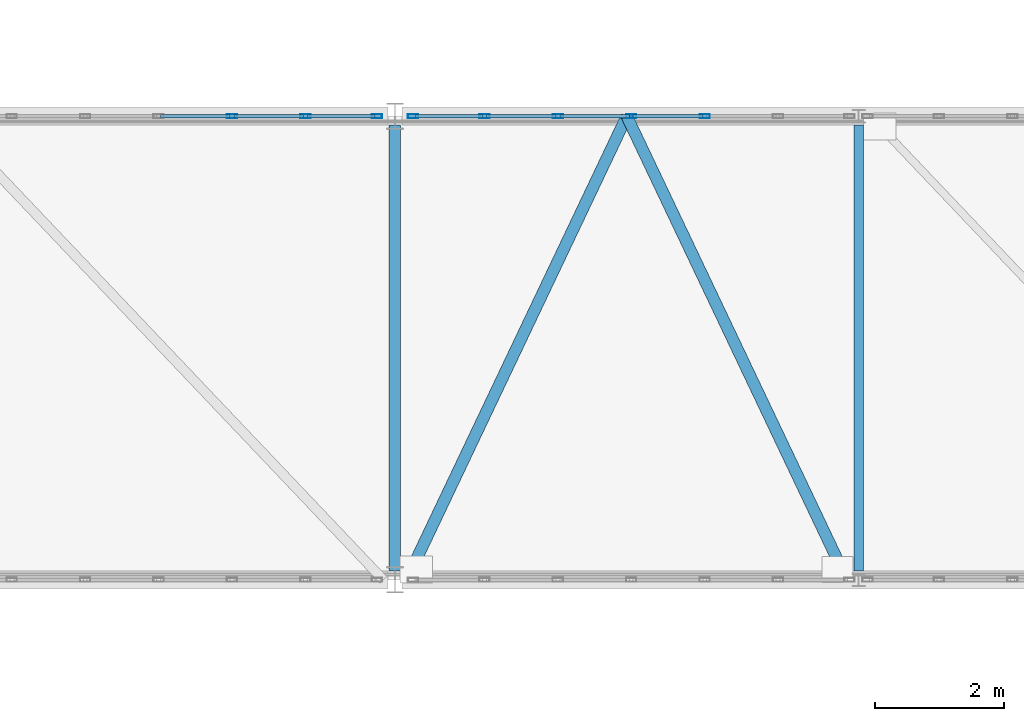
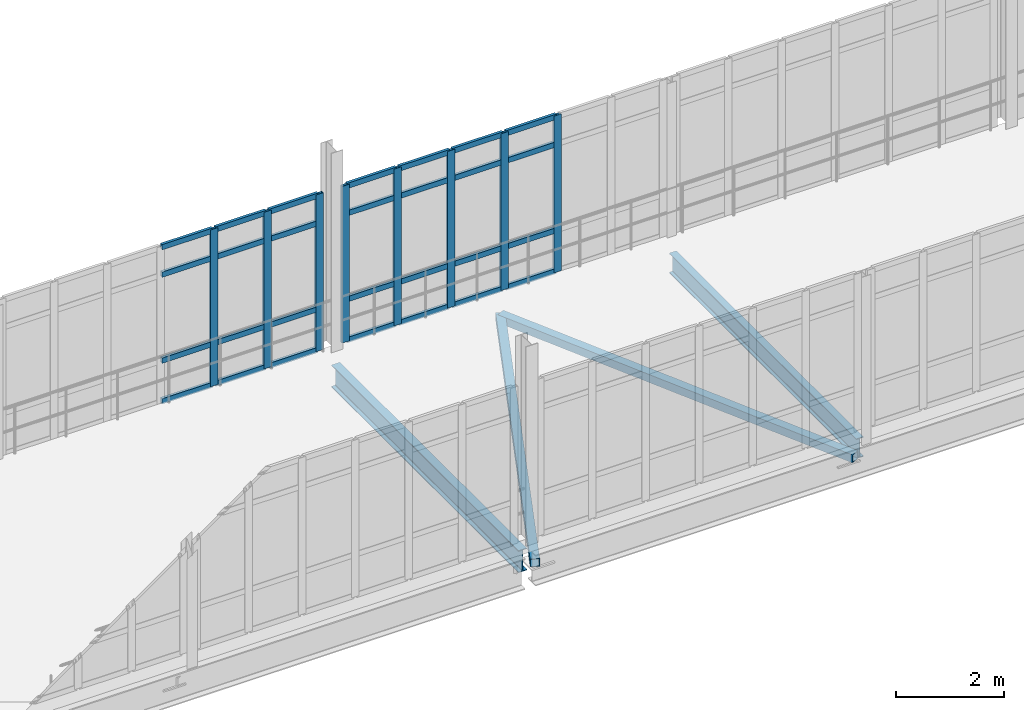
# One storey, part 26 of 116: 38 members, 2 beams, 2 elements without a shape of their own.
"""IFC4 building model written with IfcOpenShell, lengths in metres."""

import ifcopenshell
import ifcopenshell.guid

model = None  # the IFC model being written
_history = None  # IfcOwnerHistory: only IFC2X3 demands one
_inside = {}  # id of a spatial element -> (the spatial element, [elements in it])
_under = {}  # id of a project, library or spatial element -> (it, [spatial elements below it])
_declared = {}  # id of a project -> (the project, [libraries it declares])
_typed = {}  # id of a type object -> (the type object, [elements of that type])
_made_of = {}  # id of a material, layer set ... -> (it, [elements and type objects made of it])


def new_model(schema):
    """Start an empty IFC model of exactly this schema.

    Asked for "IFC4X3", IfcOpenShell would pick the latest addendum, in which some entities
    have other attributes; the version numbers below select the first issue.
    IFC2X3 requires an IfcOwnerHistory on every rooted entity: one is made here for all.
    """
    global model, _history
    if schema == "IFC4X3":
        model = ifcopenshell.file(schema_version=(4, 3, 0, 0))
    else:
        model = ifcopenshell.file(schema=schema)
    _inside.clear()
    _under.clear()
    _declared.clear()
    _typed.clear()
    _made_of.clear()
    _history = None
    if model.schema == "IFC2X3":
        org = make("IfcOrganization", Name="unknown")
        user = make(
            "IfcPersonAndOrganization",
            ThePerson=make("IfcPerson", FamilyName="unknown"),
            TheOrganization=org,
        )
        app = make(
            "IfcApplication",
            ApplicationDeveloper=org,
            Version="unknown",
            ApplicationFullName="unknown",
            ApplicationIdentifier="unknown",
        )
        _history = make(
            "IfcOwnerHistory",
            OwningUser=user,
            OwningApplication=app,
            ChangeAction="ADDED",
            CreationDate=0,
        )
    return model


def make(cls, **values):
    """One entity of the class cls with the attributes given. An attribute that is None is left unset."""
    return model.create_entity(
        cls, **{name: value for name, value in values.items() if value is not None}
    )


def rooted(cls, **values):
    """An entity with a GlobalId (a new one), such as an element, a storey or a relation."""
    return make(cls, GlobalId=ifcopenshell.guid.new(), OwnerHistory=_history, **values)


def si_unit(unit_type, name, prefix=None):
    """IfcSIUnit, for example si_unit("LENGTHUNIT", "METRE", prefix="MILLI")."""
    return make("IfcSIUnit", UnitType=unit_type, Prefix=prefix, Name=name)


def assignment(units):
    """IfcUnitAssignment: the units of a project."""
    return None if units is None else make("IfcUnitAssignment", Units=units)


def point(xyz):
    """IfcCartesianPoint."""
    return None if xyz is None else make("IfcCartesianPoint", Coordinates=xyz)


def direction(xyz):
    """IfcDirection."""
    return None if xyz is None else make("IfcDirection", DirectionRatios=xyz)


def frame(location, z_axis=None, x_axis=None):
    """IfcAxis2Placement3D, a coordinate frame: its origin and axes. An axis left out is left unset."""
    return make(
        "IfcAxis2Placement3D",
        Location=point(location),
        Axis=direction(z_axis),
        RefDirection=direction(x_axis),
    )


def frame_2d(location, x_axis=None):
    """IfcAxis2Placement2D, a coordinate frame in the plane: its origin and x axis."""
    return make(
        "IfcAxis2Placement2D", Location=point(location), RefDirection=direction(x_axis)
    )


def origin():
    """The frame at (0, 0, 0) with its axes left unset."""
    return frame((0.0, 0.0, 0.0))


def origin_2d():
    """The frame at (0, 0) in the plane with its x axis left unset."""
    return frame_2d((0.0, 0.0))


def place(relative_to, where):
    """IfcLocalPlacement: puts the frame where relative to a parent placement (None: the world)."""
    return make(
        "IfcLocalPlacement", PlacementRelTo=relative_to, RelativePlacement=where
    )


def context(
    kind, dimensions, precision=None, world=None, true_north=None, identifier=None
):
    """IfcGeometricRepresentationContext, for example the 3D "Model" context."""
    return make(
        "IfcGeometricRepresentationContext",
        ContextIdentifier=identifier,
        ContextType=kind,
        CoordinateSpaceDimension=dimensions,
        Precision=precision,
        WorldCoordinateSystem=world,
        TrueNorth=true_north,
    )


def subcontext(parent, identifier, kind, view, scale=None):
    """IfcGeometricRepresentationSubContext, for example "Body" below "Model"."""
    return make(
        "IfcGeometricRepresentationSubContext",
        ContextIdentifier=identifier,
        ContextType=kind,
        ParentContext=parent,
        TargetScale=scale,
        TargetView=view,
    )


def project(units=None, contexts=None):
    """IfcProject with its units and contexts."""
    return rooted(
        "IfcProject",
        Name="project",
        RepresentationContexts=contexts,
        UnitsInContext=assignment(units),
    )


def spatial(cls, under=None, at=None, **own):
    """A site, building, storey or space (cls), placed at a placement, below another one or the project."""
    s = rooted(cls, ObjectPlacement=at, **own)
    if under is not None:
        _under.setdefault(under.id(), (under, []))[1].append(s)
    return s


def profile(cls, at=None, kind="AREA", **sizes):
    """A parametric profile (cls). Its sizes go by their IFC names, for example OverallWidth=200.0."""
    return make(cls, ProfileType=kind, Position=at, **sizes)


def hollow_rectangle(**sizes):
    """IfcRectangleHollowProfileDef."""
    return profile("IfcRectangleHollowProfileDef", **sizes)


def i_section(**sizes):
    """IfcIShapeProfileDef."""
    return profile("IfcIShapeProfileDef", **sizes)


def extrude(swept, where, along, depth):
    """IfcExtrudedAreaSolid: the profile swept, set in the frame where, extruded along a direction by depth."""
    return make(
        "IfcExtrudedAreaSolid",
        SweptArea=swept,
        Position=where,
        ExtrudedDirection=direction(along),
        Depth=depth,
    )


def shape(context_of_items, identifier, shape_type, items):
    """IfcShapeRepresentation: the items that make up one representation, for example the "Body"."""
    return make(
        "IfcShapeRepresentation",
        ContextOfItems=context_of_items,
        RepresentationIdentifier=identifier,
        RepresentationType=shape_type,
        Items=items,
    )


def material(Name=None, Category=None):
    """IfcMaterial."""
    return make("IfcMaterial", Name=Name, Category=Category)


def material_profile(
    of_material, cross_section, Name=None, Category=None, Priority=None
):
    """IfcMaterialProfile: a cross section and its material."""
    return make(
        "IfcMaterialProfile",
        Name=Name,
        Material=of_material,
        Profile=cross_section,
        Priority=Priority,
        Category=Category,
    )


def profile_set(profiles, Name=None, composite=None):
    """IfcMaterialProfileSet."""
    return make(
        "IfcMaterialProfileSet",
        Name=Name,
        MaterialProfiles=profiles,
        CompositeProfile=composite,
    )


def made_of(thing, what):
    """Note that an element or type object is made of a material, layer set ...; save() writes the relation."""
    if what is not None:
        _made_of.setdefault(what.id(), (what, []))[1].append(thing)
    return thing


def type_object(cls, material=None, **own):
    """A type object (cls), such as IfcWallType, which elements share."""
    return made_of(rooted(cls, **own), material)


def element(
    cls,
    number,
    at=None,
    inside=None,
    cuts=None,
    type_object=None,
    material=None,
    context=None,
    identifier="Body",
    shape_type=None,
    held_by="IfcProductDefinitionShape",
    body=None,
    shapes=None,
    **own,
):
    """One element of the class cls, such as IfcWall. Its Tag is "e" and its number.

    at: its placement. inside: the storey or other place that contains it. cuts: it is an
    opening in that element (IfcRelVoidsElement). A single representation is given by context,
    identifier, shape_type and body (its items); several are given by shapes. held_by: the class
    of the entity that holds the representations. save() writes the other relations.
    """
    e = rooted(cls, Tag="e%d" % number, ObjectPlacement=at, **own)
    if body is not None:
        shapes = [shape(context, identifier, shape_type, body)]
    if shapes is not None:
        e.Representation = make(held_by, Representations=shapes)
    if inside is not None:
        _inside.setdefault(inside.id(), (inside, []))[1].append(e)
    if cuts is not None:
        rooted(
            "IfcRelVoidsElement", RelatingBuildingElement=cuts, RelatedOpeningElement=e
        )
    if type_object is not None:
        _typed.setdefault(type_object.id(), (type_object, []))[1].append(e)
    return made_of(e, material)


def aggregate(whole, parts):
    """IfcRelAggregates: a whole, such as a stair, and the parts it consists of."""
    return rooted("IfcRelAggregates", RelatingObject=whole, RelatedObjects=parts)


def save(model, path):
    """Write the relations noted so far, then the file.

    IfcRelAggregates (storeys below a building ...), IfcRelContainedInSpatialStructure (elements
    in a storey), IfcRelDefinesByType, IfcRelAssociatesMaterial and IfcRelDeclares: one each for
    every whole, place, type object, material and project.
    """
    for whole, parts in _under.values():
        aggregate(whole, parts)
    for where, things in _inside.values():
        rooted(
            "IfcRelContainedInSpatialStructure",
            RelatedElements=things,
            RelatingStructure=where,
        )
    for kind, things in _typed.values():
        rooted("IfcRelDefinesByType", RelatedObjects=things, RelatingType=kind)
    for what, things in _made_of.values():
        rooted("IfcRelAssociatesMaterial", RelatedObjects=things, RelatingMaterial=what)
    for by, libraries in _declared.values():
        rooted("IfcRelDeclares", RelatingContext=by, RelatedDefinitions=libraries)
    model.write(path)


model = new_model("IFC4")

# Units and contexts
model_context = context("Model", 3, precision=1e-05, world=origin(), true_north=direction((0.0, 1.0)))
body_context = subcontext(model_context, "Body", "Model", "MODEL_VIEW")
ifc_project = project(units=[si_unit("LENGTHUNIT", "METRE"), si_unit("AREAUNIT", "SQUARE_METRE"), si_unit("VOLUMEUNIT", "CUBIC_METRE"), si_unit("PLANEANGLEUNIT", "RADIAN"), si_unit("MASSUNIT", "GRAM", prefix="KILO")], contexts=[model_context])

# Site, building, storey
site_placement = place(None, origin())
site = spatial("IfcSite", under=ifc_project, at=site_placement, CompositionType="ELEMENT")
building_placement = place(site_placement, origin())
building = spatial("IfcBuilding", under=site, at=building_placement, Name="Kalluvel Institute of Natural Sciences", CompositionType="ELEMENT")
storey_placement = place(building_placement, frame((0.0, 0.0, 14.39990234375)))
storey = spatial("IfcBuildingStorey", under=building, at=storey_placement, Name="L03", CompositionType="ELEMENT", Elevation=14.39990234375)

# Beams
ifc_material_1 = material(Name="Steel E350 Grade 350", Category="steel")
ifc_material_profile_1 = material_profile(ifc_material_1, i_section(OverallWidth=0.14990234375, OverallDepth=0.449951171875, WebThickness=0.009521484375, FlangeThickness=0.017333984375, FilletRadius=0.014892578125, at=origin_2d()), Name="ISMB 450")
ifc_profile_set_1 = profile_set([ifc_material_profile_1], Name="Steel E350 Grade 350")
beam_type_1 = type_object("IfcBeamType", Name="BM-ISMB450", PredefinedType="BEAM", material=ifc_profile_set_1)
beam_1_placement = place(storey_placement, frame((71.60009765625, 28.5400390625, -0.544921875), z_axis=(0.0, 1.0, 0.0), x_axis=(-1.0, 0.0, 0.0)))
element("IfcBeam", 1, at=beam_1_placement, inside=storey, type_object=beam_type_1, Name="L03 link bridge cross girder 67", PredefinedType="BEAM", context=body_context, shape_type="SweptSolid", body=[
    extrude(i_section(OverallWidth=0.14990234375, OverallDepth=0.449951171875, WebThickness=0.009521484375, FlangeThickness=0.017333984375, FilletRadius=0.014892578125, at=origin_2d()), origin(), (0.0, 0.0, 1.0), 6.919921875),
])
ifc_material_profile_2 = material_profile(ifc_material_1, i_section(OverallWidth=0.179931640625, OverallDepth=0.5, WebThickness=0.01025390625, FlangeThickness=0.01708984375, FilletRadius=0.01708984375, at=origin_2d()), Name="ISMB 500")
ifc_profile_set_2 = profile_set([ifc_material_profile_2], Name="Steel E350 Grade 350")
beam_type_2 = type_object("IfcBeamType", Name="BM-ISMB500", PredefinedType="BEAM", material=ifc_profile_set_2)
beam_2_placement = place(storey_placement, frame((64.39990234375, 28.5400390625, -0.56982421875), z_axis=(0.0, 1.0, 0.0), x_axis=(-1.0, 0.0, 0.0)))
element("IfcBeam", 2, at=beam_2_placement, inside=storey, type_object=beam_type_2, Name="L03 link bridge cross girder 66", PredefinedType="BEAM", context=body_context, shape_type="SweptSolid", body=[
    extrude(i_section(OverallWidth=0.179931640625, OverallDepth=0.5, WebThickness=0.01025390625, FlangeThickness=0.01708984375, FilletRadius=0.01708984375, at=origin_2d()), origin(), (0.0, 0.0, 1.0), 6.919921875),
])

# Curtain wall, members
ifc_material_2 = material(Name="Aluminium AW-6063 T6", Category="aluminium")
curtain_wall_type = type_object("IfcCurtainWallType", Name="CW-BRG-45", PredefinedType="USERDEFINED", material=ifc_material_2)
curtain_wall_1_placement = place(storey_placement, origin())
curtain_wall_1 = element("IfcCurtainWall", 3, at=curtain_wall_1_placement, inside=storey, type_object=curtain_wall_type, Name="L03 Gothic lancet curtain wall CWA-L03-X573-Y356", ObjectType="UNITISED LANCET FACADE", PredefinedType="USERDEFINED")
ifc_material_profile_3 = material_profile(ifc_material_2, hollow_rectangle(XDim=0.06005859375, YDim=0.159912109375, WallThickness=0.00390625, at=origin_2d()), Name="CWM 60x160")
ifc_profile_set_3 = profile_set([ifc_material_profile_3], Name="Aluminium AW-6063 T6")
member_type_1 = type_object("IfcMemberType", Name="CWM-60x160", PredefinedType="MULLION", material=ifc_profile_set_3)
member_1_placement = place(storey_placement, frame((61.8701171875, 35.60009765625, 0.0), z_axis=(0.0, 0.0, 1.0), x_axis=(0.0, 1.0, 0.0)))
member_1 = element("IfcMember", 4, at=member_1_placement, type_object=member_type_1, Name="CW-07 mullion 5", PredefinedType="MULLION", context=body_context, shape_type="SweptSolid", body=[
    extrude(hollow_rectangle(XDim=0.06005859375, YDim=0.159912109375, WallThickness=0.00390625, at=origin_2d()), origin(), (0.0, 0.0, 1.0), 3.5400390625),
])
member_2_placement = place(storey_placement, frame((63.010009765625, 35.60009765625, 0.0), z_axis=(0.0, 0.0, 1.0), x_axis=(0.0, 1.0, 0.0)))
member_2 = element("IfcMember", 5, at=member_2_placement, type_object=member_type_1, Name="CW-07 mullion 6", PredefinedType="MULLION", context=body_context, shape_type="SweptSolid", body=[
    extrude(hollow_rectangle(XDim=0.06005859375, YDim=0.159912109375, WallThickness=0.00390625, at=origin_2d()), origin(), (0.0, 0.0, 1.0), 3.5400390625),
])
member_3_placement = place(storey_placement, frame((64.1201171875, 35.60009765625, 0.0), z_axis=(0.0, 0.0, 1.0), x_axis=(0.0, 1.0, 0.0)))
member_3 = element("IfcMember", 6, at=member_3_placement, type_object=member_type_1, Name="CW-07 mullion 7", PredefinedType="MULLION", context=body_context, shape_type="SweptSolid", body=[
    extrude(hollow_rectangle(XDim=0.06005859375, YDim=0.159912109375, WallThickness=0.00390625, at=origin_2d()), origin(), (0.0, 0.0, 1.0), 3.5400390625),
])

curtain_wall_2_placement = place(storey_placement, origin())
curtain_wall_2 = element("IfcCurtainWall", 7, at=curtain_wall_2_placement, inside=storey, type_object=curtain_wall_type, Name="L03 Gothic lancet curtain wall CWA-L03-X646-Y356", ObjectType="UNITISED LANCET FACADE", PredefinedType="USERDEFINED")
member_4_placement = place(storey_placement, frame((64.679931640625, 35.60009765625, 0.0), z_axis=(0.0, 0.0, 1.0), x_axis=(0.0, 1.0, 0.0)))
member_4 = element("IfcMember", 8, at=member_4_placement, type_object=member_type_1, Name="CW-07 mullion 1", PredefinedType="MULLION", context=body_context, shape_type="SweptSolid", body=[
    extrude(hollow_rectangle(XDim=0.06005859375, YDim=0.159912109375, WallThickness=0.00390625, at=origin_2d()), origin(), (0.0, 0.0, 1.0), 3.5400390625),
])
member_5_placement = place(storey_placement, frame((65.7900390625, 35.60009765625, 0.0), z_axis=(0.0, 0.0, 1.0), x_axis=(0.0, 1.0, 0.0)))
member_5 = element("IfcMember", 9, at=member_5_placement, type_object=member_type_1, Name="CW-07 mullion 2", PredefinedType="MULLION", context=body_context, shape_type="SweptSolid", body=[
    extrude(hollow_rectangle(XDim=0.06005859375, YDim=0.159912109375, WallThickness=0.00390625, at=origin_2d()), origin(), (0.0, 0.0, 1.0), 3.5400390625),
])
member_6_placement = place(storey_placement, frame((66.929931640625, 35.60009765625, 0.0), z_axis=(0.0, 0.0, 1.0), x_axis=(0.0, 1.0, 0.0)))
member_6 = element("IfcMember", 10, at=member_6_placement, type_object=member_type_1, Name="CW-07 mullion 3", PredefinedType="MULLION", context=body_context, shape_type="SweptSolid", body=[
    extrude(hollow_rectangle(XDim=0.06005859375, YDim=0.159912109375, WallThickness=0.00390625, at=origin_2d()), origin(), (0.0, 0.0, 1.0), 3.5400390625),
])
member_7_placement = place(storey_placement, frame((68.070068359375, 35.60009765625, 0.0), z_axis=(0.0, 0.0, 1.0), x_axis=(0.0, 1.0, 0.0)))
member_7 = element("IfcMember", 11, at=member_7_placement, type_object=member_type_1, Name="CW-07 mullion 4", PredefinedType="MULLION", context=body_context, shape_type="SweptSolid", body=[
    extrude(hollow_rectangle(XDim=0.06005859375, YDim=0.159912109375, WallThickness=0.00390625, at=origin_2d()), origin(), (0.0, 0.0, 1.0), 3.5400390625),
])
member_8_placement = place(storey_placement, frame((69.2099609375, 35.60009765625, 0.0), z_axis=(0.0, 0.0, 1.0), x_axis=(0.0, 1.0, 0.0)))
member_8 = element("IfcMember", 12, at=member_8_placement, type_object=member_type_1, Name="CW-07 mullion 5", PredefinedType="MULLION", context=body_context, shape_type="SweptSolid", body=[
    extrude(hollow_rectangle(XDim=0.06005859375, YDim=0.159912109375, WallThickness=0.00390625, at=origin_2d()), origin(), (0.0, 0.0, 1.0), 3.5400390625),
])

# Member
ifc_material_profile_4 = material_profile(ifc_material_2, hollow_rectangle(XDim=0.06005859375, YDim=0.1201171875, WallThickness=0.00390625, at=origin_2d()), Name="CWT 60x120")
ifc_profile_set_4 = profile_set([ifc_material_profile_4], Name="Aluminium AW-6063 T6")
member_type_2 = type_object("IfcMemberType", Name="CWT-60x120", PredefinedType="USERDEFINED", material=ifc_profile_set_4)
member_9_placement = place(storey_placement, frame((60.760009765625, 35.60009765625, 0.030029296875), z_axis=(1.0, 0.0, 0.0), x_axis=(0.0, 1.0, 0.0)))
member_9 = element("IfcMember", 13, at=member_9_placement, type_object=member_type_2, Name="CW-07 transom 4.1", ObjectType="TRANSOM", PredefinedType="USERDEFINED", context=body_context, shape_type="SweptSolid", body=[
    extrude(hollow_rectangle(XDim=0.06005859375, YDim=0.1201171875, WallThickness=0.00390625, at=origin_2d()), origin(), (0.0, 0.0, 1.0), 1.080078125),
])

member_10_placement = place(storey_placement, frame((60.760009765625, 35.60009765625, 0.9501953125), z_axis=(1.0, 0.0, 0.0), x_axis=(0.0, 1.0, 0.0)))
member_10 = element("IfcMember", 14, at=member_10_placement, type_object=member_type_2, Name="CW-07 transom 4.2", ObjectType="TRANSOM", PredefinedType="USERDEFINED", context=body_context, shape_type="SweptSolid", body=[
    extrude(hollow_rectangle(XDim=0.06005859375, YDim=0.1201171875, WallThickness=0.00390625, at=origin_2d()), origin(), (0.0, 0.0, 1.0), 1.080078125),
])

member_11_placement = place(storey_placement, frame((60.760009765625, 35.60009765625, 2.89013671875), z_axis=(1.0, 0.0, 0.0), x_axis=(0.0, 1.0, 0.0)))
member_11 = element("IfcMember", 15, at=member_11_placement, type_object=member_type_2, Name="CW-07 transom 4.3", ObjectType="TRANSOM", PredefinedType="USERDEFINED", context=body_context, shape_type="SweptSolid", body=[
    extrude(hollow_rectangle(XDim=0.06005859375, YDim=0.1201171875, WallThickness=0.00390625, at=origin_2d()), origin(), (0.0, 0.0, 1.0), 1.080078125),
])

member_12_placement = place(storey_placement, frame((60.760009765625, 35.60009765625, 3.510009765625), z_axis=(1.0, 0.0, 0.0), x_axis=(0.0, 1.0, 0.0)))
member_12 = element("IfcMember", 16, at=member_12_placement, type_object=member_type_2, Name="CW-07 transom 4.4", ObjectType="TRANSOM", PredefinedType="USERDEFINED", context=body_context, shape_type="SweptSolid", body=[
    extrude(hollow_rectangle(XDim=0.06005859375, YDim=0.1201171875, WallThickness=0.00390625, at=origin_2d()), origin(), (0.0, 0.0, 1.0), 1.080078125),
])

member_13_placement = place(storey_placement, frame((61.89990234375, 35.60009765625, 0.030029296875), z_axis=(1.0, 0.0, 0.0), x_axis=(0.0, 1.0, 0.0)))
member_13 = element("IfcMember", 17, at=member_13_placement, type_object=member_type_2, Name="CW-07 transom 5.1", ObjectType="TRANSOM", PredefinedType="USERDEFINED", context=body_context, shape_type="SweptSolid", body=[
    extrude(hollow_rectangle(XDim=0.06005859375, YDim=0.1201171875, WallThickness=0.00390625, at=origin_2d()), origin(), (0.0, 0.0, 1.0), 1.080078125),
])

member_14_placement = place(storey_placement, frame((61.89990234375, 35.60009765625, 0.9501953125), z_axis=(1.0, 0.0, 0.0), x_axis=(0.0, 1.0, 0.0)))
member_14 = element("IfcMember", 18, at=member_14_placement, type_object=member_type_2, Name="CW-07 transom 5.2", ObjectType="TRANSOM", PredefinedType="USERDEFINED", context=body_context, shape_type="SweptSolid", body=[
    extrude(hollow_rectangle(XDim=0.06005859375, YDim=0.1201171875, WallThickness=0.00390625, at=origin_2d()), origin(), (0.0, 0.0, 1.0), 1.080078125),
])

member_15_placement = place(storey_placement, frame((61.89990234375, 35.60009765625, 2.89013671875), z_axis=(1.0, 0.0, 0.0), x_axis=(0.0, 1.0, 0.0)))
member_15 = element("IfcMember", 19, at=member_15_placement, type_object=member_type_2, Name="CW-07 transom 5.3", ObjectType="TRANSOM", PredefinedType="USERDEFINED", context=body_context, shape_type="SweptSolid", body=[
    extrude(hollow_rectangle(XDim=0.06005859375, YDim=0.1201171875, WallThickness=0.00390625, at=origin_2d()), origin(), (0.0, 0.0, 1.0), 1.080078125),
])

member_16_placement = place(storey_placement, frame((61.89990234375, 35.60009765625, 3.510009765625), z_axis=(1.0, 0.0, 0.0), x_axis=(0.0, 1.0, 0.0)))
member_16 = element("IfcMember", 20, at=member_16_placement, type_object=member_type_2, Name="CW-07 transom 5.4", ObjectType="TRANSOM", PredefinedType="USERDEFINED", context=body_context, shape_type="SweptSolid", body=[
    extrude(hollow_rectangle(XDim=0.06005859375, YDim=0.1201171875, WallThickness=0.00390625, at=origin_2d()), origin(), (0.0, 0.0, 1.0), 1.080078125),
])

member_17_placement = place(storey_placement, frame((63.0400390625, 35.60009765625, 0.030029296875), z_axis=(1.0, 0.0, 0.0), x_axis=(0.0, 1.0, 0.0)))
member_17 = element("IfcMember", 21, at=member_17_placement, type_object=member_type_2, Name="CW-07 transom 6.1", ObjectType="TRANSOM", PredefinedType="USERDEFINED", context=body_context, shape_type="SweptSolid", body=[
    extrude(hollow_rectangle(XDim=0.06005859375, YDim=0.1201171875, WallThickness=0.00390625, at=origin_2d()), origin(), (0.0, 0.0, 1.0), 1.050048828125),
])

member_18_placement = place(storey_placement, frame((63.0400390625, 35.60009765625, 0.9501953125), z_axis=(1.0, 0.0, 0.0), x_axis=(0.0, 1.0, 0.0)))
member_18 = element("IfcMember", 22, at=member_18_placement, type_object=member_type_2, Name="CW-07 transom 6.2", ObjectType="TRANSOM", PredefinedType="USERDEFINED", context=body_context, shape_type="SweptSolid", body=[
    extrude(hollow_rectangle(XDim=0.06005859375, YDim=0.1201171875, WallThickness=0.00390625, at=origin_2d()), origin(), (0.0, 0.0, 1.0), 1.050048828125),
])

member_19_placement = place(storey_placement, frame((63.0400390625, 35.60009765625, 2.89013671875), z_axis=(1.0, 0.0, 0.0), x_axis=(0.0, 1.0, 0.0)))
member_19 = element("IfcMember", 23, at=member_19_placement, type_object=member_type_2, Name="CW-07 transom 6.3", ObjectType="TRANSOM", PredefinedType="USERDEFINED", context=body_context, shape_type="SweptSolid", body=[
    extrude(hollow_rectangle(XDim=0.06005859375, YDim=0.1201171875, WallThickness=0.00390625, at=origin_2d()), origin(), (0.0, 0.0, 1.0), 1.050048828125),
])

member_20_placement = place(storey_placement, frame((63.0400390625, 35.60009765625, 3.510009765625), z_axis=(1.0, 0.0, 0.0), x_axis=(0.0, 1.0, 0.0)))
member_20 = element("IfcMember", 24, at=member_20_placement, type_object=member_type_2, Name="CW-07 transom 6.4", ObjectType="TRANSOM", PredefinedType="USERDEFINED", context=body_context, shape_type="SweptSolid", body=[
    extrude(hollow_rectangle(XDim=0.06005859375, YDim=0.1201171875, WallThickness=0.00390625, at=origin_2d()), origin(), (0.0, 0.0, 1.0), 1.050048828125),
])

aggregate(curtain_wall_1, [member_1, member_2, member_3, member_9, member_10, member_11, member_12, member_13, member_14, member_15, member_16, member_17, member_18, member_19, member_20])

member_21_placement = place(storey_placement, frame((64.7099609375, 35.60009765625, 0.030029296875), z_axis=(1.0, 0.0, 0.0), x_axis=(0.0, 1.0, 0.0)))
member_21 = element("IfcMember", 25, at=member_21_placement, type_object=member_type_2, Name="CW-07 transom 1.1", ObjectType="TRANSOM", PredefinedType="USERDEFINED", context=body_context, shape_type="SweptSolid", body=[
    extrude(hollow_rectangle(XDim=0.06005859375, YDim=0.1201171875, WallThickness=0.00390625, at=origin_2d()), origin(), (0.0, 0.0, 1.0), 1.050048828125),
])

member_22_placement = place(storey_placement, frame((64.7099609375, 35.60009765625, 0.9501953125), z_axis=(1.0, 0.0, 0.0), x_axis=(0.0, 1.0, 0.0)))
member_22 = element("IfcMember", 26, at=member_22_placement, type_object=member_type_2, Name="CW-07 transom 1.2", ObjectType="TRANSOM", PredefinedType="USERDEFINED", context=body_context, shape_type="SweptSolid", body=[
    extrude(hollow_rectangle(XDim=0.06005859375, YDim=0.1201171875, WallThickness=0.00390625, at=origin_2d()), origin(), (0.0, 0.0, 1.0), 1.050048828125),
])

member_23_placement = place(storey_placement, frame((64.7099609375, 35.60009765625, 2.89013671875), z_axis=(1.0, 0.0, 0.0), x_axis=(0.0, 1.0, 0.0)))
member_23 = element("IfcMember", 27, at=member_23_placement, type_object=member_type_2, Name="CW-07 transom 1.3", ObjectType="TRANSOM", PredefinedType="USERDEFINED", context=body_context, shape_type="SweptSolid", body=[
    extrude(hollow_rectangle(XDim=0.06005859375, YDim=0.1201171875, WallThickness=0.00390625, at=origin_2d()), origin(), (0.0, 0.0, 1.0), 1.050048828125),
])

member_24_placement = place(storey_placement, frame((64.7099609375, 35.60009765625, 3.510009765625), z_axis=(1.0, 0.0, 0.0), x_axis=(0.0, 1.0, 0.0)))
member_24 = element("IfcMember", 28, at=member_24_placement, type_object=member_type_2, Name="CW-07 transom 1.4", ObjectType="TRANSOM", PredefinedType="USERDEFINED", context=body_context, shape_type="SweptSolid", body=[
    extrude(hollow_rectangle(XDim=0.06005859375, YDim=0.1201171875, WallThickness=0.00390625, at=origin_2d()), origin(), (0.0, 0.0, 1.0), 1.050048828125),
])

member_25_placement = place(storey_placement, frame((65.820068359375, 35.60009765625, 0.030029296875), z_axis=(1.0, 0.0, 0.0), x_axis=(0.0, 1.0, 0.0)))
member_25 = element("IfcMember", 29, at=member_25_placement, type_object=member_type_2, Name="CW-07 transom 2.1", ObjectType="TRANSOM", PredefinedType="USERDEFINED", context=body_context, shape_type="SweptSolid", body=[
    extrude(hollow_rectangle(XDim=0.06005859375, YDim=0.1201171875, WallThickness=0.00390625, at=origin_2d()), origin(), (0.0, 0.0, 1.0), 1.079833984375),
])

member_26_placement = place(storey_placement, frame((65.820068359375, 35.60009765625, 0.9501953125), z_axis=(1.0, 0.0, 0.0), x_axis=(0.0, 1.0, 0.0)))
member_26 = element("IfcMember", 30, at=member_26_placement, type_object=member_type_2, Name="CW-07 transom 2.2", ObjectType="TRANSOM", PredefinedType="USERDEFINED", context=body_context, shape_type="SweptSolid", body=[
    extrude(hollow_rectangle(XDim=0.06005859375, YDim=0.1201171875, WallThickness=0.00390625, at=origin_2d()), origin(), (0.0, 0.0, 1.0), 1.079833984375),
])

member_27_placement = place(storey_placement, frame((65.820068359375, 35.60009765625, 2.89013671875), z_axis=(1.0, 0.0, 0.0), x_axis=(0.0, 1.0, 0.0)))
member_27 = element("IfcMember", 31, at=member_27_placement, type_object=member_type_2, Name="CW-07 transom 2.3", ObjectType="TRANSOM", PredefinedType="USERDEFINED", context=body_context, shape_type="SweptSolid", body=[
    extrude(hollow_rectangle(XDim=0.06005859375, YDim=0.1201171875, WallThickness=0.00390625, at=origin_2d()), origin(), (0.0, 0.0, 1.0), 1.079833984375),
])

member_28_placement = place(storey_placement, frame((65.820068359375, 35.60009765625, 3.510009765625), z_axis=(1.0, 0.0, 0.0), x_axis=(0.0, 1.0, 0.0)))
member_28 = element("IfcMember", 32, at=member_28_placement, type_object=member_type_2, Name="CW-07 transom 2.4", ObjectType="TRANSOM", PredefinedType="USERDEFINED", context=body_context, shape_type="SweptSolid", body=[
    extrude(hollow_rectangle(XDim=0.06005859375, YDim=0.1201171875, WallThickness=0.00390625, at=origin_2d()), origin(), (0.0, 0.0, 1.0), 1.079833984375),
])

member_29_placement = place(storey_placement, frame((66.9599609375, 35.60009765625, 0.030029296875), z_axis=(1.0, 0.0, 0.0), x_axis=(0.0, 1.0, 0.0)))
member_29 = element("IfcMember", 33, at=member_29_placement, type_object=member_type_2, Name="CW-07 transom 3.1", ObjectType="TRANSOM", PredefinedType="USERDEFINED", context=body_context, shape_type="SweptSolid", body=[
    extrude(hollow_rectangle(XDim=0.06005859375, YDim=0.1201171875, WallThickness=0.00390625, at=origin_2d()), origin(), (0.0, 0.0, 1.0), 1.080078125),
])

member_30_placement = place(storey_placement, frame((66.9599609375, 35.60009765625, 0.9501953125), z_axis=(1.0, 0.0, 0.0), x_axis=(0.0, 1.0, 0.0)))
member_30 = element("IfcMember", 34, at=member_30_placement, type_object=member_type_2, Name="CW-07 transom 3.2", ObjectType="TRANSOM", PredefinedType="USERDEFINED", context=body_context, shape_type="SweptSolid", body=[
    extrude(hollow_rectangle(XDim=0.06005859375, YDim=0.1201171875, WallThickness=0.00390625, at=origin_2d()), origin(), (0.0, 0.0, 1.0), 1.080078125),
])

member_31_placement = place(storey_placement, frame((66.9599609375, 35.60009765625, 2.89013671875), z_axis=(1.0, 0.0, 0.0), x_axis=(0.0, 1.0, 0.0)))
member_31 = element("IfcMember", 35, at=member_31_placement, type_object=member_type_2, Name="CW-07 transom 3.3", ObjectType="TRANSOM", PredefinedType="USERDEFINED", context=body_context, shape_type="SweptSolid", body=[
    extrude(hollow_rectangle(XDim=0.06005859375, YDim=0.1201171875, WallThickness=0.00390625, at=origin_2d()), origin(), (0.0, 0.0, 1.0), 1.080078125),
])

member_32_placement = place(storey_placement, frame((66.9599609375, 35.60009765625, 3.510009765625), z_axis=(1.0, 0.0, 0.0), x_axis=(0.0, 1.0, 0.0)))
member_32 = element("IfcMember", 36, at=member_32_placement, type_object=member_type_2, Name="CW-07 transom 3.4", ObjectType="TRANSOM", PredefinedType="USERDEFINED", context=body_context, shape_type="SweptSolid", body=[
    extrude(hollow_rectangle(XDim=0.06005859375, YDim=0.1201171875, WallThickness=0.00390625, at=origin_2d()), origin(), (0.0, 0.0, 1.0), 1.080078125),
])

member_33_placement = place(storey_placement, frame((68.10009765625, 35.60009765625, 0.030029296875), z_axis=(1.0, 0.0, 0.0), x_axis=(0.0, 1.0, 0.0)))
member_33 = element("IfcMember", 37, at=member_33_placement, type_object=member_type_2, Name="CW-07 transom 4.1", ObjectType="TRANSOM", PredefinedType="USERDEFINED", context=body_context, shape_type="SweptSolid", body=[
    extrude(hollow_rectangle(XDim=0.06005859375, YDim=0.1201171875, WallThickness=0.00390625, at=origin_2d()), origin(), (0.0, 0.0, 1.0), 1.079833984375),
])

member_34_placement = place(storey_placement, frame((68.10009765625, 35.60009765625, 0.9501953125), z_axis=(1.0, 0.0, 0.0), x_axis=(0.0, 1.0, 0.0)))
member_34 = element("IfcMember", 38, at=member_34_placement, type_object=member_type_2, Name="CW-07 transom 4.2", ObjectType="TRANSOM", PredefinedType="USERDEFINED", context=body_context, shape_type="SweptSolid", body=[
    extrude(hollow_rectangle(XDim=0.06005859375, YDim=0.1201171875, WallThickness=0.00390625, at=origin_2d()), origin(), (0.0, 0.0, 1.0), 1.079833984375),
])

member_35_placement = place(storey_placement, frame((68.10009765625, 35.60009765625, 2.89013671875), z_axis=(1.0, 0.0, 0.0), x_axis=(0.0, 1.0, 0.0)))
member_35 = element("IfcMember", 39, at=member_35_placement, type_object=member_type_2, Name="CW-07 transom 4.3", ObjectType="TRANSOM", PredefinedType="USERDEFINED", context=body_context, shape_type="SweptSolid", body=[
    extrude(hollow_rectangle(XDim=0.06005859375, YDim=0.1201171875, WallThickness=0.00390625, at=origin_2d()), origin(), (0.0, 0.0, 1.0), 1.079833984375),
])

member_36_placement = place(storey_placement, frame((68.10009765625, 35.60009765625, 3.510009765625), z_axis=(1.0, 0.0, 0.0), x_axis=(0.0, 1.0, 0.0)))
member_36 = element("IfcMember", 40, at=member_36_placement, type_object=member_type_2, Name="CW-07 transom 4.4", ObjectType="TRANSOM", PredefinedType="USERDEFINED", context=body_context, shape_type="SweptSolid", body=[
    extrude(hollow_rectangle(XDim=0.06005859375, YDim=0.1201171875, WallThickness=0.00390625, at=origin_2d()), origin(), (0.0, 0.0, 1.0), 1.079833984375),
])

aggregate(curtain_wall_2, [member_4, member_5, member_6, member_7, member_8, member_21, member_22, member_23, member_24, member_25, member_26, member_27, member_28, member_29, member_30, member_31, member_32, member_33, member_34, member_35, member_36])

# Members
ifc_material_profile_5 = material_profile(ifc_material_1, hollow_rectangle(XDim=0.179931640625, YDim=0.179931640625, WallThickness=0.010009765625, at=origin_2d()), Name="SHS 180x180x10")
ifc_profile_set_5 = profile_set([ifc_material_profile_5], Name="Steel E350 Grade 350")
member_type_3 = type_object("IfcMemberType", Name="MB-BR-SHS180", PredefinedType="BRACE", material=ifc_profile_set_5)
for number, where, z_axis, x_axis, name in (
    (41, (64.580078125, 28.39990234375, -0.599853515625), (0.429039321605, 0.903285813304, 0.0), (-0.903285813304, 0.429039321605, 0.0), "L03 link bridge horizontal plan brace L03-05-1"),
    (42, (68.0, 35.60009765625, -0.599853515625), (0.429039321605, -0.903285813304, 0.0), (0.903285813304, 0.429039321605, 0.0), "L03 link bridge horizontal plan brace L03-05-2"),
):
    element("IfcMember", number, at=place(storey_placement, frame(where, z_axis=z_axis, x_axis=x_axis)), inside=storey, type_object=member_type_3, Name=name, PredefinedType="BRACE", context=body_context, shape_type="SweptSolid", body=[
        extrude(hollow_rectangle(XDim=0.179931640625, YDim=0.179931640625, WallThickness=0.010009765625, at=origin_2d()), origin(), (0.0, 0.0, 1.0), 7.97119140625),
    ])

save(model, "model.ifc")
